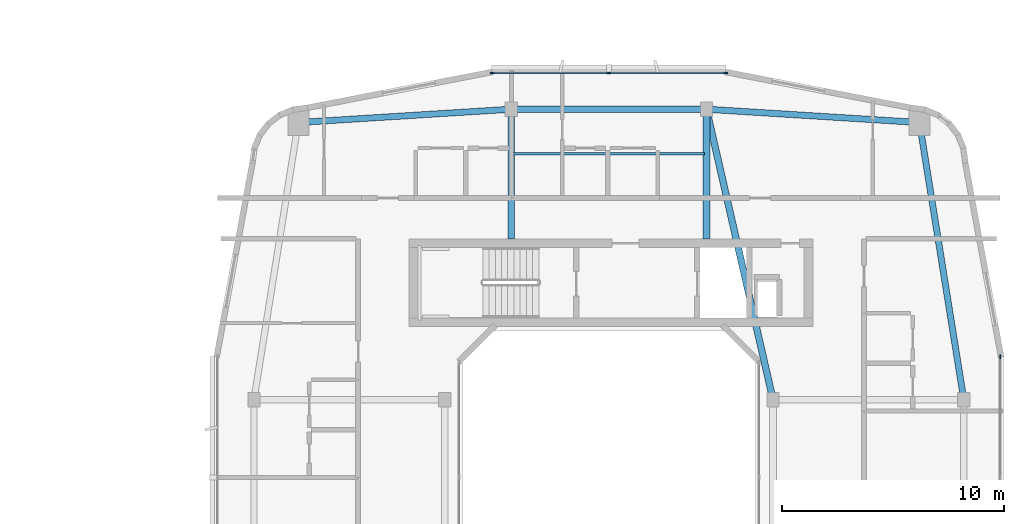
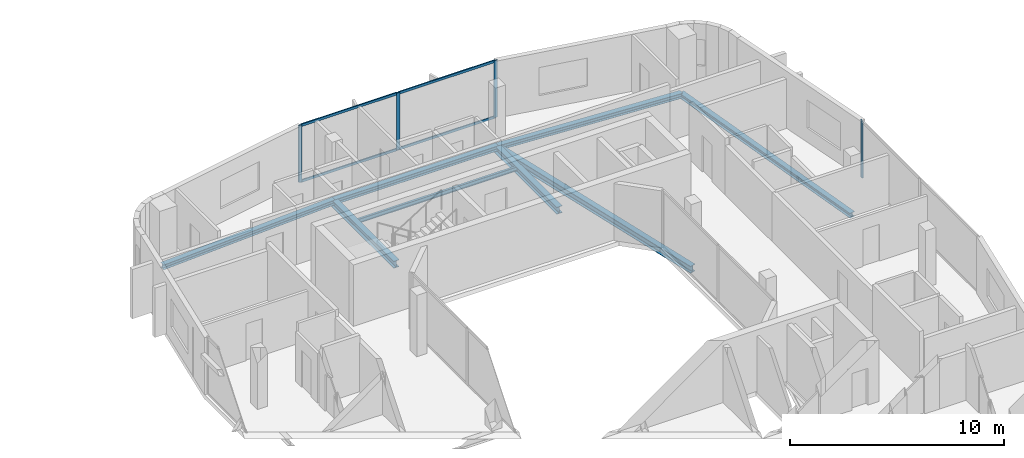
# One storey, part 10 of 26: 8 beams, 8 members, 2 elements without a shape of their own.
"""IFC4 building model written with IfcOpenShell, lengths in metres."""

from ifc_helpers import new_model, si_unit, derived_unit, direction, frame, origin, origin_2d, place, context, subcontext, project, spatial, rectangle, i_section, extrude, material, layer, layer_set, material_profile, profile_set, type_object, element, aggregate, save


model = new_model("IFC4")

# Units and contexts
model_context = context("Model", 3, precision=1e-05, world=origin(), true_north=direction((0.0, 1.0)))
body_context = subcontext(model_context, "Body", "Model", "MODEL_VIEW")
ifc_project = project(units=[si_unit("LENGTHUNIT", "METRE"), si_unit("AREAUNIT", "SQUARE_METRE"), si_unit("VOLUMEUNIT", "CUBIC_METRE"), si_unit("PLANEANGLEUNIT", "RADIAN"), si_unit("MASSUNIT", "GRAM", prefix="KILO"), derived_unit("THERMALTRANSMITTANCEUNIT", [(si_unit("POWERUNIT", "WATT"), 1), (si_unit("LENGTHUNIT", "METRE"), -2), (si_unit("THERMODYNAMICTEMPERATUREUNIT", "KELVIN"), -1)])], contexts=[model_context])

# Site, building, storey
site_placement = place(None, origin())
site = spatial("IfcSite", under=ifc_project, at=site_placement, CompositionType="ELEMENT")
building_placement = place(site_placement, origin())
building = spatial("IfcBuilding", under=site, at=building_placement, Name="Kivonza Crest Hotel", CompositionType="ELEMENT")
storey_placement = place(building_placement, frame((0.0, 0.0, 127.5)))
storey = spatial("IfcBuildingStorey", under=building, at=storey_placement, Name="L34", CompositionType="ELEMENT", Elevation=127.5)

# Beams
ifc_material_1 = material(Name="Steel S355", Category="steel")
ifc_material_profile_1 = material_profile(ifc_material_1, i_section(OverallWidth=0.280029296875, OverallDepth=0.280029296875, WebThickness=0.010498046875, FlangeThickness=0.01806640625, FilletRadius=0.02392578125, at=origin_2d()), Name="HEB 280")
ifc_profile_set_1 = profile_set([ifc_material_profile_1], Name="Steel S355")
beam_type_1 = type_object("IfcBeamType", Name="BM-HEB280", PredefinedType="SPANDREL", material=ifc_profile_set_1)
beam_1_placement = place(storey_placement, frame((93.0, 28.5, -0.389892578125), z_axis=(-0.157990501107, 0.987440631917, 0.0), x_axis=(-0.987440631917, -0.157990501107, 0.0)))
element("IfcBeam", 1, at=beam_1_placement, inside=storey, type_object=beam_type_1, Name="Companion Tower T2 L34 perimeter spandrel E2-NE", PredefinedType="SPANDREL", context=body_context, shape_type="SweptSolid", body=[
    extrude(i_section(OverallWidth=0.280029296875, OverallDepth=0.280029296875, WebThickness=0.010498046875, FlangeThickness=0.01806640625, FilletRadius=0.02392578125, at=origin_2d()), origin(), (0.0, 0.0, 1.0), 12.658935546875),
])
beam_2_placement = place(storey_placement, frame((91.0, 41.0, -0.389892578125), z_axis=(-0.998051985873, 0.062387767186, 0.0), x_axis=(-0.062387767186, -0.998051985873, 0.0)))
element("IfcBeam", 2, at=beam_2_placement, inside=storey, type_object=beam_type_1, Name="Companion Tower T2 L34 perimeter spandrel NE-N2", PredefinedType="SPANDREL", context=body_context, shape_type="SweptSolid", body=[
    extrude(i_section(OverallWidth=0.280029296875, OverallDepth=0.280029296875, WebThickness=0.010498046875, FlangeThickness=0.01806640625, FilletRadius=0.02392578125, at=origin_2d()), origin(), (0.0, 0.0, 1.0), 9.618896484375),
])
beam_3_placement = place(storey_placement, frame((81.39990234375, 41.60009765625, -0.389892578125), z_axis=(-1.0, 0.0, 0.0), x_axis=(0.0, -1.0, 0.0)))
element("IfcBeam", 3, at=beam_3_placement, inside=storey, type_object=beam_type_1, Name="Companion Tower T2 L34 perimeter spandrel N2-N1", PredefinedType="SPANDREL", context=body_context, shape_type="SweptSolid", body=[
    extrude(i_section(OverallWidth=0.280029296875, OverallDepth=0.280029296875, WebThickness=0.010498046875, FlangeThickness=0.01806640625, FilletRadius=0.02392578125, at=origin_2d()), origin(), (0.0, 0.0, 1.0), 8.7998046875),
])
beam_4_placement = place(storey_placement, frame((72.60009765625, 41.60009765625, -0.389892578125), z_axis=(-0.998051985873, -0.062387767186, 0.0), x_axis=(0.062387767186, -0.998051985873, 0.0)))
element("IfcBeam", 4, at=beam_4_placement, inside=storey, type_object=beam_type_1, Name="Companion Tower T2 L34 perimeter spandrel N1-NW", PredefinedType="SPANDREL", context=body_context, shape_type="SweptSolid", body=[
    extrude(i_section(OverallWidth=0.280029296875, OverallDepth=0.280029296875, WebThickness=0.010498046875, FlangeThickness=0.01806640625, FilletRadius=0.02392578125, at=origin_2d()), origin(), (0.0, 0.0, 1.0), 9.618896484375),
])
ifc_material_profile_2 = material_profile(ifc_material_1, i_section(OverallWidth=0.300048828125, OverallDepth=0.39990234375, WebThickness=0.013427734375, FlangeThickness=0.02392578125, FilletRadius=0.027099609375, at=origin_2d()), Name="HEB 400")
ifc_profile_set_2 = profile_set([ifc_material_profile_2], Name="Steel S355")
beam_type_2 = type_object("IfcBeamType", Name="BM-HEB400", PredefinedType="BEAM", material=ifc_profile_set_2)
beam_5_placement = place(storey_placement, frame((84.39990234375, 28.5, -0.449951171875), z_axis=(-0.223227287589, 0.974766422317, 0.0), x_axis=(-0.974766422317, -0.223227287589, 0.0)))
element("IfcBeam", 5, at=beam_5_placement, inside=storey, type_object=beam_type_2, Name="Companion Tower T2 L34 girder WR2-N2", PredefinedType="BEAM", context=body_context, shape_type="SweptSolid", body=[
    extrude(i_section(OverallWidth=0.300048828125, OverallDepth=0.39990234375, WebThickness=0.013427734375, FlangeThickness=0.02392578125, FilletRadius=0.027099609375, at=origin_2d()), origin(), (0.0, 0.0, 1.0), 13.439208984375),
])
for number, where, z_axis, x_axis, name in (
    (6, (72.60009765625, 41.60009765625, -0.449951171875), (0.0, -1.0, 0.0), (1.0, 0.0, 0.0), "Companion T2 L34 radial core girder RN1"),
    (7, (81.39990234375, 41.60009765625, -0.449951171875), (0.0, -1.0, 0.0), (1.0, 0.0, 0.0), "Companion T2 L34 radial core girder RN2"),
):
    element("IfcBeam", number, at=place(storey_placement, frame(where, z_axis=z_axis, x_axis=x_axis)), inside=storey, type_object=beam_type_2, Name=name, PredefinedType="BEAM", context=body_context, shape_type="SweptSolid", body=[
        extrude(i_section(OverallWidth=0.300048828125, OverallDepth=0.39990234375, WebThickness=0.013427734375, FlangeThickness=0.02392578125, FilletRadius=0.027099609375, at=origin_2d()), origin(), (0.0, 0.0, 1.0), 5.85009765625),
    ])
ifc_material_profile_3 = material_profile(ifc_material_1, i_section(OverallWidth=0.1201171875, OverallDepth=0.239990234375, WebThickness=0.006103515625, FlangeThickness=0.009765625, FilletRadius=0.014892578125, at=origin_2d()), Name="IPE 240")
ifc_profile_set_3 = profile_set([ifc_material_profile_3], Name="Steel S355")
beam_type_3 = type_object("IfcBeamType", Name="BM-IPE240", PredefinedType="JOIST", material=ifc_profile_set_3)
beam_6_placement = place(storey_placement, frame((72.679931640625, 39.60009765625, -0.3701171875), z_axis=(1.0, 0.0, 0.0), x_axis=(0.0, 1.0, 0.0)))
element("IfcBeam", 8, at=beam_6_placement, inside=storey, type_object=beam_type_3, Name="Companion Tower T2 L34 North floor joist", PredefinedType="JOIST", context=body_context, shape_type="SweptSolid", body=[
    extrude(i_section(OverallWidth=0.1201171875, OverallDepth=0.239990234375, WebThickness=0.006103515625, FlangeThickness=0.009765625, FilletRadius=0.014892578125, at=origin_2d()), origin(), (0.0, 0.0, 1.0), 8.64013671875),
])

# Curtain wall, member
ifc_material_2 = material(Name="Anodised bronze aluminium and low-E double glazing", Category="aluminium")
ifc_layer = layer(ifc_material_2, 0.179931640625)
ifc_layer_set = layer_set([ifc_layer], Name="Anodised bronze aluminium and low-E double glazing")
curtain_wall_type = type_object("IfcCurtainWallType", Name="CW-SYS-4", PredefinedType="NOTDEFINED", material=ifc_layer_set)
curtain_wall_1_placement = place(storey_placement, origin())
curtain_wall_1 = element("IfcCurtainWall", 9, at=curtain_wall_1_placement, inside=storey, type_object=curtain_wall_type, Name="L34 unitised curtain wall CW-T2-L34-17", PredefinedType="NOTDEFINED")
ifc_material_3 = material(Name="Anodised bronze aluminium", Category="aluminium")
ifc_material_profile_4 = material_profile(ifc_material_3, rectangle(XDim=0.06494140625, YDim=0.179931640625, at=origin_2d()), Name="CW-M 65x180")
ifc_profile_set_4 = profile_set([ifc_material_profile_4], Name="Anodised bronze aluminium")
member_type_1 = type_object("IfcMemberType", Name="CW-MUL-65x180", PredefinedType="MULLION", material=ifc_profile_set_4)
member_1_placement = place(storey_placement, frame((94.639892578125, 30.447509765625, 0.0), z_axis=(0.0, 0.0, 1.0), x_axis=(-1.0, 0.0, 0.0)))
member_1 = element("IfcMember", 10, at=member_1_placement, type_object=member_type_1, Name="CW-4 mullion 3", PredefinedType="MULLION", context=body_context, shape_type="SweptSolid", body=[
    extrude(rectangle(XDim=0.06494140625, YDim=0.179931640625, at=origin_2d()), origin(), (0.0, 0.0, 1.0), 3.25),
])
aggregate(curtain_wall_1, [member_1])

# Curtain wall, members
curtain_wall_2_placement = place(storey_placement, origin())
curtain_wall_2 = element("IfcCurtainWall", 11, at=curtain_wall_2_placement, inside=storey, type_object=curtain_wall_type, Name="L34 unitised curtain wall CW-T2-L34-26", PredefinedType="NOTDEFINED")
member_2_placement = place(storey_placement, frame((82.267578125, 43.239990234375, 0.0), z_axis=(0.0, 0.0, 1.0), x_axis=(0.0, -1.0, 0.0)))
member_2 = element("IfcMember", 12, at=member_2_placement, type_object=member_type_1, Name="CW-4 mullion 1", PredefinedType="MULLION", context=body_context, shape_type="SweptSolid", body=[
    extrude(rectangle(XDim=0.06494140625, YDim=0.179931640625, at=origin_2d()), origin(), (0.0, 0.0, 1.0), 3.25),
])
member_3_placement = place(storey_placement, frame((77.0, 43.239990234375, 0.0), z_axis=(0.0, 0.0, 1.0), x_axis=(0.0, -1.0, 0.0)))
member_3 = element("IfcMember", 13, at=member_3_placement, type_object=member_type_1, Name="CW-4 mullion 2", PredefinedType="MULLION", context=body_context, shape_type="SweptSolid", body=[
    extrude(rectangle(XDim=0.06494140625, YDim=0.179931640625, at=origin_2d()), origin(), (0.0, 0.0, 1.0), 3.25),
])
member_4_placement = place(storey_placement, frame((71.732421875, 43.239990234375, 0.0), z_axis=(0.0, 0.0, 1.0), x_axis=(0.0, -1.0, 0.0)))
member_4 = element("IfcMember", 14, at=member_4_placement, type_object=member_type_1, Name="CW-4 mullion 3", PredefinedType="MULLION", context=body_context, shape_type="SweptSolid", body=[
    extrude(rectangle(XDim=0.06494140625, YDim=0.179931640625, at=origin_2d()), origin(), (0.0, 0.0, 1.0), 3.25),
])
ifc_material_profile_5 = material_profile(ifc_material_3, rectangle(XDim=0.06494140625, YDim=0.139892578125, at=origin_2d()), Name="CW-T 65x140")
ifc_profile_set_5 = profile_set([ifc_material_profile_5], Name="Anodised bronze aluminium")
member_type_2 = type_object("IfcMemberType", Name="CW-TRN-65x140", PredefinedType="USERDEFINED", material=ifc_profile_set_5)
member_5_placement = place(storey_placement, frame((82.235107421875, 43.239990234375, 0.032470703125), z_axis=(-1.0, 0.0, 0.0), x_axis=(0.0, -1.0, 0.0)))
member_5 = element("IfcMember", 15, at=member_5_placement, type_object=member_type_2, Name="CW-4 transom 1.1", ObjectType="TRANSOM", PredefinedType="USERDEFINED", context=body_context, shape_type="SweptSolid", body=[
    extrude(rectangle(XDim=0.06494140625, YDim=0.139892578125, at=origin_2d()), origin(), (0.0, 0.0, 1.0), 5.20263671875),
])
member_6_placement = place(storey_placement, frame((82.235107421875, 43.239990234375, 3.217529296875), z_axis=(-1.0, 0.0, 0.0), x_axis=(0.0, -1.0, 0.0)))
member_6 = element("IfcMember", 16, at=member_6_placement, type_object=member_type_2, Name="CW-4 transom 1.2", ObjectType="TRANSOM", PredefinedType="USERDEFINED", context=body_context, shape_type="SweptSolid", body=[
    extrude(rectangle(XDim=0.06494140625, YDim=0.139892578125, at=origin_2d()), origin(), (0.0, 0.0, 1.0), 5.20263671875),
])
member_7_placement = place(storey_placement, frame((76.967529296875, 43.239990234375, 0.032470703125), z_axis=(-1.0, 0.0, 0.0), x_axis=(0.0, -1.0, 0.0)))
member_7 = element("IfcMember", 17, at=member_7_placement, type_object=member_type_2, Name="CW-4 transom 2.1", ObjectType="TRANSOM", PredefinedType="USERDEFINED", context=body_context, shape_type="SweptSolid", body=[
    extrude(rectangle(XDim=0.06494140625, YDim=0.139892578125, at=origin_2d()), origin(), (0.0, 0.0, 1.0), 5.20263671875),
])
member_8_placement = place(storey_placement, frame((76.967529296875, 43.239990234375, 3.217529296875), z_axis=(-1.0, 0.0, 0.0), x_axis=(0.0, -1.0, 0.0)))
member_8 = element("IfcMember", 18, at=member_8_placement, type_object=member_type_2, Name="CW-4 transom 2.2", ObjectType="TRANSOM", PredefinedType="USERDEFINED", context=body_context, shape_type="SweptSolid", body=[
    extrude(rectangle(XDim=0.06494140625, YDim=0.139892578125, at=origin_2d()), origin(), (0.0, 0.0, 1.0), 5.20263671875),
])
aggregate(curtain_wall_2, [member_2, member_3, member_4, member_5, member_6, member_7, member_8])

save(model, "model.ifc")
